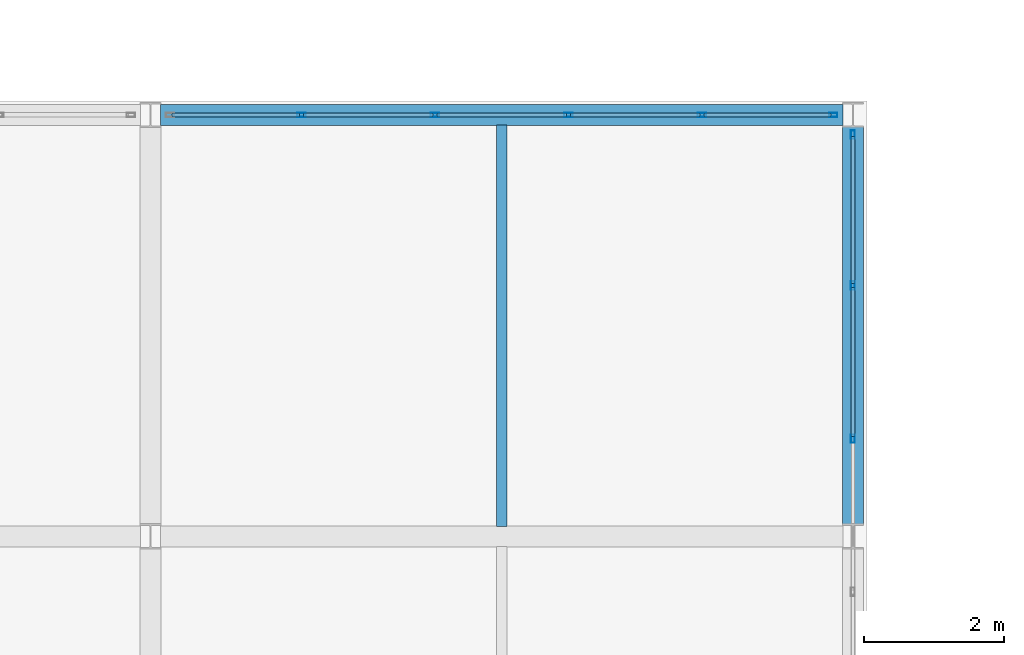
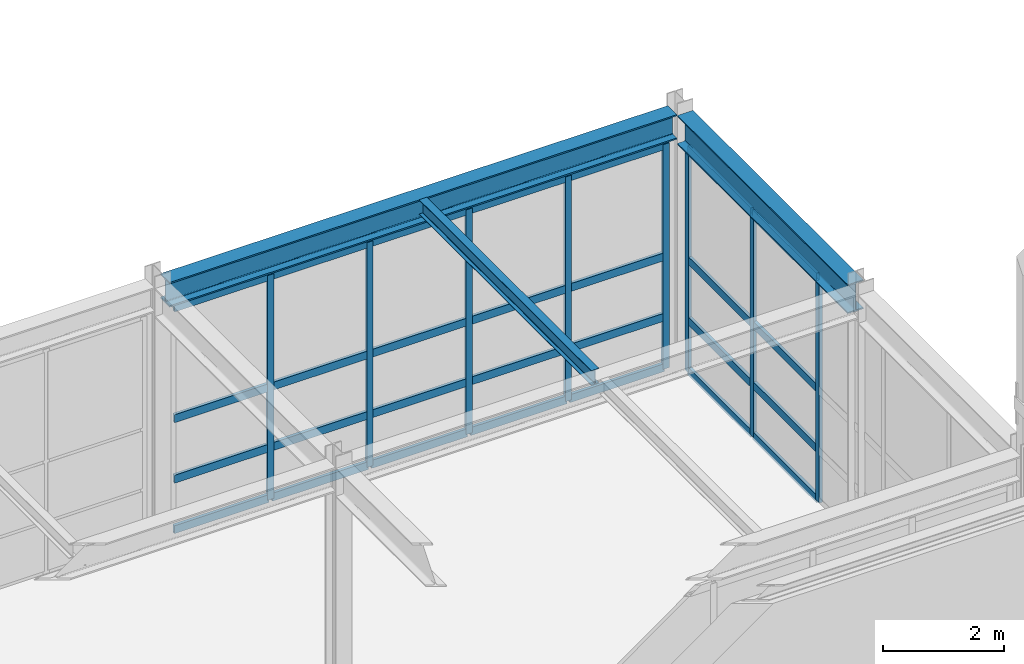
# One storey, part 176 of 239: 36 members, 3 beams, 2 elements without a shape of their own.
"""IFC4 building model written with IfcOpenShell, lengths in metres."""

from ifc_helpers import new_model, si_unit, direction, frame, origin, origin_2d, place, context, subcontext, project, spatial, hollow_rectangle, i_section, extrude, material, material_profile, profile_set, type_object, element, aggregate, save


model = new_model("IFC4")

# Units and contexts
model_context = context("Model", 3, precision=1e-05, world=origin(), true_north=direction((0.0, 1.0)))
body_context = subcontext(model_context, "Body", "Model", "MODEL_VIEW")
ifc_project = project(units=[si_unit("LENGTHUNIT", "METRE"), si_unit("AREAUNIT", "SQUARE_METRE"), si_unit("VOLUMEUNIT", "CUBIC_METRE"), si_unit("PLANEANGLEUNIT", "RADIAN"), si_unit("MASSUNIT", "GRAM", prefix="KILO")], contexts=[model_context])

# Site, building, storey
site_placement = place(None, origin())
site = spatial("IfcSite", under=ifc_project, at=site_placement, CompositionType="ELEMENT")
building_placement = place(site_placement, origin())
building = spatial("IfcBuilding", under=site, at=building_placement, Name="Kaldris Quays Convention Centre", CompositionType="ELEMENT")
storey_placement = place(building_placement, frame((0.0, 0.0, 11.39990234375)))
storey = spatial("IfcBuildingStorey", under=building, at=storey_placement, Name="L02", CompositionType="ELEMENT", Elevation=11.39990234375)

# Curtain wall, members
ifc_material_1 = material(Name="Anodized aluminium AW-6060 and triple glazing", Category="aluminium")
curtain_wall_type = type_object("IfcCurtainWallType", Name="UNITISED CURTAIN WALL CW06", PredefinedType="NOTDEFINED", material=ifc_material_1)
curtain_wall_1_placement = place(storey_placement, origin())
curtain_wall_1 = element("IfcCurtainWall", 1, at=curtain_wall_1_placement, inside=storey, type_object=curtain_wall_type, Name="L02 Unitised Curtain Wall CW06 170", PredefinedType="NOTDEFINED")
ifc_material_2 = material(Name="Anodized aluminium AW-6060", Category="aluminium")
ifc_material_profile_1 = material_profile(ifc_material_2, hollow_rectangle(XDim=0.06005859375, YDim=0.1201171875, WallThickness=0.00390625, at=origin_2d()), Name="RHS 120x60x4")
ifc_profile_set_1 = profile_set([ifc_material_profile_1], Name="Anodized aluminium AW-6060")
member_type_1 = type_object("IfcMemberType", Name="CURTAIN MULLION CWM3", PredefinedType="MULLION", material=ifc_profile_set_1)
member_1_placement = place(storey_placement, frame((186.14990234375, 116.0, 0.0), z_axis=(0.0, 0.0, 1.0), x_axis=(0.0, 1.0, 0.0)))
member_1 = element("IfcMember", 2, at=member_1_placement, type_object=member_type_1, Name="CW06 mullion 2", PredefinedType="MULLION", context=body_context, shape_type="SweptSolid", body=[
    extrude(hollow_rectangle(XDim=0.06005859375, YDim=0.1201171875, WallThickness=0.00390625, at=origin_2d()), origin(), (0.0, 0.0, 1.0), 4.548095703125),
])
member_2_placement = place(storey_placement, frame((188.050048828125, 116.0, 0.0), z_axis=(0.0, 0.0, 1.0), x_axis=(0.0, 1.0, 0.0)))
member_2 = element("IfcMember", 3, at=member_2_placement, type_object=member_type_1, Name="CW06 mullion 3", PredefinedType="MULLION", context=body_context, shape_type="SweptSolid", body=[
    extrude(hollow_rectangle(XDim=0.06005859375, YDim=0.1201171875, WallThickness=0.00390625, at=origin_2d()), origin(), (0.0, 0.0, 1.0), 4.548095703125),
])
member_3_placement = place(storey_placement, frame((189.949951171875, 116.0, 0.0), z_axis=(0.0, 0.0, 1.0), x_axis=(0.0, 1.0, 0.0)))
member_3 = element("IfcMember", 4, at=member_3_placement, type_object=member_type_1, Name="CW06 mullion 4", PredefinedType="MULLION", context=body_context, shape_type="SweptSolid", body=[
    extrude(hollow_rectangle(XDim=0.06005859375, YDim=0.1201171875, WallThickness=0.00390625, at=origin_2d()), origin(), (0.0, 0.0, 1.0), 4.548095703125),
])
member_4_placement = place(storey_placement, frame((191.85009765625, 116.0, 0.0), z_axis=(0.0, 0.0, 1.0), x_axis=(0.0, 1.0, 0.0)))
member_4 = element("IfcMember", 5, at=member_4_placement, type_object=member_type_1, Name="CW06 mullion 5", PredefinedType="MULLION", context=body_context, shape_type="SweptSolid", body=[
    extrude(hollow_rectangle(XDim=0.06005859375, YDim=0.1201171875, WallThickness=0.00390625, at=origin_2d()), origin(), (0.0, 0.0, 1.0), 4.548095703125),
])
member_5_placement = place(storey_placement, frame((193.719970703125, 116.0, 0.0), z_axis=(0.0, 0.0, 1.0), x_axis=(0.0, 1.0, 0.0)))
member_5 = element("IfcMember", 6, at=member_5_placement, type_object=member_type_1, Name="CW06 mullion 6", PredefinedType="MULLION", context=body_context, shape_type="SweptSolid", body=[
    extrude(hollow_rectangle(XDim=0.06005859375, YDim=0.1201171875, WallThickness=0.00390625, at=origin_2d()), origin(), (0.0, 0.0, 1.0), 4.548095703125),
])

curtain_wall_2_placement = place(storey_placement, origin())
curtain_wall_2 = element("IfcCurtainWall", 7, at=curtain_wall_2_placement, inside=storey, type_object=curtain_wall_type, Name="L02 Unitised Curtain Wall CW06 172", PredefinedType="NOTDEFINED")
member_6_placement = place(storey_placement, frame((194.0, 111.389892578125, 0.0), z_axis=(0.0, 0.0, 1.0), x_axis=(-1.0, 0.0, 0.0)))
member_6 = element("IfcMember", 8, at=member_6_placement, type_object=member_type_1, Name="CW06 mullion 4", PredefinedType="MULLION", context=body_context, shape_type="SweptSolid", body=[
    extrude(hollow_rectangle(XDim=0.06005859375, YDim=0.1201171875, WallThickness=0.00390625, at=origin_2d()), origin(), (0.0, 0.0, 1.0), 4.548095703125),
])
member_7_placement = place(storey_placement, frame((194.0, 113.570068359375, 0.0), z_axis=(0.0, 0.0, 1.0), x_axis=(-1.0, 0.0, 0.0)))
member_7 = element("IfcMember", 9, at=member_7_placement, type_object=member_type_1, Name="CW06 mullion 5", PredefinedType="MULLION", context=body_context, shape_type="SweptSolid", body=[
    extrude(hollow_rectangle(XDim=0.06005859375, YDim=0.1201171875, WallThickness=0.00390625, at=origin_2d()), origin(), (0.0, 0.0, 1.0), 4.548095703125),
])
member_8_placement = place(storey_placement, frame((194.0, 115.719970703125, 0.0), z_axis=(0.0, 0.0, 1.0), x_axis=(-1.0, 0.0, 0.0)))
member_8 = element("IfcMember", 10, at=member_8_placement, type_object=member_type_1, Name="CW06 mullion 6", PredefinedType="MULLION", context=body_context, shape_type="SweptSolid", body=[
    extrude(hollow_rectangle(XDim=0.06005859375, YDim=0.1201171875, WallThickness=0.00390625, at=origin_2d()), origin(), (0.0, 0.0, 1.0), 4.548095703125),
])

# Member
ifc_material_profile_2 = material_profile(ifc_material_2, hollow_rectangle(XDim=0.06005859375, YDim=0.159912109375, WallThickness=0.00390625, at=origin_2d()), Name="RHS 160x60x4")
ifc_profile_set_2 = profile_set([ifc_material_profile_2], Name="Anodized aluminium AW-6060")
member_type_2 = type_object("IfcMemberType", Name="CURTAIN TRANSOM CWT2", PredefinedType="USERDEFINED", material=ifc_profile_set_2)
member_9_placement = place(storey_placement, frame((184.31005859375, 116.0, 0.030029296875), z_axis=(1.0, 0.0, 0.0), x_axis=(0.0, 1.0, 0.0)))
member_9 = element("IfcMember", 11, at=member_9_placement, type_object=member_type_2, Name="CW06 transom 1.1", ObjectType="TRANSOM", PredefinedType="USERDEFINED", context=body_context, shape_type="SweptSolid", body=[
    extrude(hollow_rectangle(XDim=0.06005859375, YDim=0.159912109375, WallThickness=0.00390625, at=origin_2d()), origin(), (0.0, 0.0, 1.0), 1.81005859375),
])

member_10_placement = place(storey_placement, frame((184.31005859375, 116.0, 1.050048828125), z_axis=(1.0, 0.0, 0.0), x_axis=(0.0, 1.0, 0.0)))
member_10 = element("IfcMember", 12, at=member_10_placement, type_object=member_type_2, Name="CW06 transom 1.2", ObjectType="TRANSOM", PredefinedType="USERDEFINED", context=body_context, shape_type="SweptSolid", body=[
    extrude(hollow_rectangle(XDim=0.06005859375, YDim=0.159912109375, WallThickness=0.00390625, at=origin_2d()), origin(), (0.0, 0.0, 1.0), 1.81005859375),
])

member_11_placement = place(storey_placement, frame((184.31005859375, 116.0, 2.274169921875), z_axis=(1.0, 0.0, 0.0), x_axis=(0.0, 1.0, 0.0)))
member_11 = element("IfcMember", 13, at=member_11_placement, type_object=member_type_2, Name="CW06 transom 1.3", ObjectType="TRANSOM", PredefinedType="USERDEFINED", context=body_context, shape_type="SweptSolid", body=[
    extrude(hollow_rectangle(XDim=0.06005859375, YDim=0.159912109375, WallThickness=0.00390625, at=origin_2d()), origin(), (0.0, 0.0, 1.0), 1.81005859375),
])

member_12_placement = place(storey_placement, frame((184.31005859375, 116.0, 4.51806640625), z_axis=(1.0, 0.0, 0.0), x_axis=(0.0, 1.0, 0.0)))
member_12 = element("IfcMember", 14, at=member_12_placement, type_object=member_type_2, Name="CW06 transom 1.4", ObjectType="TRANSOM", PredefinedType="USERDEFINED", context=body_context, shape_type="SweptSolid", body=[
    extrude(hollow_rectangle(XDim=0.06005859375, YDim=0.159912109375, WallThickness=0.00390625, at=origin_2d()), origin(), (0.0, 0.0, 1.0), 1.81005859375),
])

member_13_placement = place(storey_placement, frame((186.179931640625, 116.0, 0.030029296875), z_axis=(1.0, 0.0, 0.0), x_axis=(0.0, 1.0, 0.0)))
member_13 = element("IfcMember", 15, at=member_13_placement, type_object=member_type_2, Name="CW06 transom 2.1", ObjectType="TRANSOM", PredefinedType="USERDEFINED", context=body_context, shape_type="SweptSolid", body=[
    extrude(hollow_rectangle(XDim=0.06005859375, YDim=0.159912109375, WallThickness=0.00390625, at=origin_2d()), origin(), (0.0, 0.0, 1.0), 1.840087890625),
])

member_14_placement = place(storey_placement, frame((186.179931640625, 116.0, 1.050048828125), z_axis=(1.0, 0.0, 0.0), x_axis=(0.0, 1.0, 0.0)))
member_14 = element("IfcMember", 16, at=member_14_placement, type_object=member_type_2, Name="CW06 transom 2.2", ObjectType="TRANSOM", PredefinedType="USERDEFINED", context=body_context, shape_type="SweptSolid", body=[
    extrude(hollow_rectangle(XDim=0.06005859375, YDim=0.159912109375, WallThickness=0.00390625, at=origin_2d()), origin(), (0.0, 0.0, 1.0), 1.840087890625),
])

member_15_placement = place(storey_placement, frame((186.179931640625, 116.0, 2.274169921875), z_axis=(1.0, 0.0, 0.0), x_axis=(0.0, 1.0, 0.0)))
member_15 = element("IfcMember", 17, at=member_15_placement, type_object=member_type_2, Name="CW06 transom 2.3", ObjectType="TRANSOM", PredefinedType="USERDEFINED", context=body_context, shape_type="SweptSolid", body=[
    extrude(hollow_rectangle(XDim=0.06005859375, YDim=0.159912109375, WallThickness=0.00390625, at=origin_2d()), origin(), (0.0, 0.0, 1.0), 1.840087890625),
])

member_16_placement = place(storey_placement, frame((186.179931640625, 116.0, 4.51806640625), z_axis=(1.0, 0.0, 0.0), x_axis=(0.0, 1.0, 0.0)))
member_16 = element("IfcMember", 18, at=member_16_placement, type_object=member_type_2, Name="CW06 transom 2.4", ObjectType="TRANSOM", PredefinedType="USERDEFINED", context=body_context, shape_type="SweptSolid", body=[
    extrude(hollow_rectangle(XDim=0.06005859375, YDim=0.159912109375, WallThickness=0.00390625, at=origin_2d()), origin(), (0.0, 0.0, 1.0), 1.840087890625),
])

member_17_placement = place(storey_placement, frame((188.080078125, 116.0, 0.030029296875), z_axis=(1.0, 0.0, 0.0), x_axis=(0.0, 1.0, 0.0)))
member_17 = element("IfcMember", 19, at=member_17_placement, type_object=member_type_2, Name="CW06 transom 3.1", ObjectType="TRANSOM", PredefinedType="USERDEFINED", context=body_context, shape_type="SweptSolid", body=[
    extrude(hollow_rectangle(XDim=0.06005859375, YDim=0.159912109375, WallThickness=0.00390625, at=origin_2d()), origin(), (0.0, 0.0, 1.0), 1.83984375),
])

member_18_placement = place(storey_placement, frame((188.080078125, 116.0, 1.050048828125), z_axis=(1.0, 0.0, 0.0), x_axis=(0.0, 1.0, 0.0)))
member_18 = element("IfcMember", 20, at=member_18_placement, type_object=member_type_2, Name="CW06 transom 3.2", ObjectType="TRANSOM", PredefinedType="USERDEFINED", context=body_context, shape_type="SweptSolid", body=[
    extrude(hollow_rectangle(XDim=0.06005859375, YDim=0.159912109375, WallThickness=0.00390625, at=origin_2d()), origin(), (0.0, 0.0, 1.0), 1.83984375),
])

member_19_placement = place(storey_placement, frame((188.080078125, 116.0, 2.274169921875), z_axis=(1.0, 0.0, 0.0), x_axis=(0.0, 1.0, 0.0)))
member_19 = element("IfcMember", 21, at=member_19_placement, type_object=member_type_2, Name="CW06 transom 3.3", ObjectType="TRANSOM", PredefinedType="USERDEFINED", context=body_context, shape_type="SweptSolid", body=[
    extrude(hollow_rectangle(XDim=0.06005859375, YDim=0.159912109375, WallThickness=0.00390625, at=origin_2d()), origin(), (0.0, 0.0, 1.0), 1.83984375),
])

member_20_placement = place(storey_placement, frame((188.080078125, 116.0, 4.51806640625), z_axis=(1.0, 0.0, 0.0), x_axis=(0.0, 1.0, 0.0)))
member_20 = element("IfcMember", 22, at=member_20_placement, type_object=member_type_2, Name="CW06 transom 3.4", ObjectType="TRANSOM", PredefinedType="USERDEFINED", context=body_context, shape_type="SweptSolid", body=[
    extrude(hollow_rectangle(XDim=0.06005859375, YDim=0.159912109375, WallThickness=0.00390625, at=origin_2d()), origin(), (0.0, 0.0, 1.0), 1.83984375),
])

member_21_placement = place(storey_placement, frame((189.97998046875, 116.0, 0.030029296875), z_axis=(1.0, 0.0, 0.0), x_axis=(0.0, 1.0, 0.0)))
member_21 = element("IfcMember", 23, at=member_21_placement, type_object=member_type_2, Name="CW06 transom 4.1", ObjectType="TRANSOM", PredefinedType="USERDEFINED", context=body_context, shape_type="SweptSolid", body=[
    extrude(hollow_rectangle(XDim=0.06005859375, YDim=0.159912109375, WallThickness=0.00390625, at=origin_2d()), origin(), (0.0, 0.0, 1.0), 1.840087890625),
])

member_22_placement = place(storey_placement, frame((189.97998046875, 116.0, 1.050048828125), z_axis=(1.0, 0.0, 0.0), x_axis=(0.0, 1.0, 0.0)))
member_22 = element("IfcMember", 24, at=member_22_placement, type_object=member_type_2, Name="CW06 transom 4.2", ObjectType="TRANSOM", PredefinedType="USERDEFINED", context=body_context, shape_type="SweptSolid", body=[
    extrude(hollow_rectangle(XDim=0.06005859375, YDim=0.159912109375, WallThickness=0.00390625, at=origin_2d()), origin(), (0.0, 0.0, 1.0), 1.840087890625),
])

member_23_placement = place(storey_placement, frame((189.97998046875, 116.0, 2.274169921875), z_axis=(1.0, 0.0, 0.0), x_axis=(0.0, 1.0, 0.0)))
member_23 = element("IfcMember", 25, at=member_23_placement, type_object=member_type_2, Name="CW06 transom 4.3", ObjectType="TRANSOM", PredefinedType="USERDEFINED", context=body_context, shape_type="SweptSolid", body=[
    extrude(hollow_rectangle(XDim=0.06005859375, YDim=0.159912109375, WallThickness=0.00390625, at=origin_2d()), origin(), (0.0, 0.0, 1.0), 1.840087890625),
])

member_24_placement = place(storey_placement, frame((189.97998046875, 116.0, 4.51806640625), z_axis=(1.0, 0.0, 0.0), x_axis=(0.0, 1.0, 0.0)))
member_24 = element("IfcMember", 26, at=member_24_placement, type_object=member_type_2, Name="CW06 transom 4.4", ObjectType="TRANSOM", PredefinedType="USERDEFINED", context=body_context, shape_type="SweptSolid", body=[
    extrude(hollow_rectangle(XDim=0.06005859375, YDim=0.159912109375, WallThickness=0.00390625, at=origin_2d()), origin(), (0.0, 0.0, 1.0), 1.840087890625),
])

member_25_placement = place(storey_placement, frame((191.8798828125, 116.0, 0.030029296875), z_axis=(1.0, 0.0, 0.0), x_axis=(0.0, 1.0, 0.0)))
member_25 = element("IfcMember", 27, at=member_25_placement, type_object=member_type_2, Name="CW06 transom 5.1", ObjectType="TRANSOM", PredefinedType="USERDEFINED", context=body_context, shape_type="SweptSolid", body=[
    extrude(hollow_rectangle(XDim=0.06005859375, YDim=0.159912109375, WallThickness=0.00390625, at=origin_2d()), origin(), (0.0, 0.0, 1.0), 1.81005859375),
])

member_26_placement = place(storey_placement, frame((191.8798828125, 116.0, 1.050048828125), z_axis=(1.0, 0.0, 0.0), x_axis=(0.0, 1.0, 0.0)))
member_26 = element("IfcMember", 28, at=member_26_placement, type_object=member_type_2, Name="CW06 transom 5.2", ObjectType="TRANSOM", PredefinedType="USERDEFINED", context=body_context, shape_type="SweptSolid", body=[
    extrude(hollow_rectangle(XDim=0.06005859375, YDim=0.159912109375, WallThickness=0.00390625, at=origin_2d()), origin(), (0.0, 0.0, 1.0), 1.81005859375),
])

member_27_placement = place(storey_placement, frame((191.8798828125, 116.0, 2.274169921875), z_axis=(1.0, 0.0, 0.0), x_axis=(0.0, 1.0, 0.0)))
member_27 = element("IfcMember", 29, at=member_27_placement, type_object=member_type_2, Name="CW06 transom 5.3", ObjectType="TRANSOM", PredefinedType="USERDEFINED", context=body_context, shape_type="SweptSolid", body=[
    extrude(hollow_rectangle(XDim=0.06005859375, YDim=0.159912109375, WallThickness=0.00390625, at=origin_2d()), origin(), (0.0, 0.0, 1.0), 1.81005859375),
])

member_28_placement = place(storey_placement, frame((191.8798828125, 116.0, 4.51806640625), z_axis=(1.0, 0.0, 0.0), x_axis=(0.0, 1.0, 0.0)))
member_28 = element("IfcMember", 30, at=member_28_placement, type_object=member_type_2, Name="CW06 transom 5.4", ObjectType="TRANSOM", PredefinedType="USERDEFINED", context=body_context, shape_type="SweptSolid", body=[
    extrude(hollow_rectangle(XDim=0.06005859375, YDim=0.159912109375, WallThickness=0.00390625, at=origin_2d()), origin(), (0.0, 0.0, 1.0), 1.81005859375),
])

aggregate(curtain_wall_1, [member_1, member_2, member_3, member_4, member_5, member_9, member_10, member_11, member_12, member_13, member_14, member_15, member_16, member_17, member_18, member_19, member_20, member_21, member_22, member_23, member_24, member_25, member_26, member_27, member_28])

member_29_placement = place(storey_placement, frame((194.0, 111.419921875, 0.030029296875), z_axis=(0.0, 1.0, 0.0), x_axis=(-1.0, 0.0, 0.0)))
member_29 = element("IfcMember", 31, at=member_29_placement, type_object=member_type_2, Name="CW06 transom 4.1", ObjectType="TRANSOM", PredefinedType="USERDEFINED", context=body_context, shape_type="SweptSolid", body=[
    extrude(hollow_rectangle(XDim=0.06005859375, YDim=0.159912109375, WallThickness=0.00390625, at=origin_2d()), origin(), (0.0, 0.0, 1.0), 2.1201171875),
])

member_30_placement = place(storey_placement, frame((194.0, 111.419921875, 1.050048828125), z_axis=(0.0, 1.0, 0.0), x_axis=(-1.0, 0.0, 0.0)))
member_30 = element("IfcMember", 32, at=member_30_placement, type_object=member_type_2, Name="CW06 transom 4.2", ObjectType="TRANSOM", PredefinedType="USERDEFINED", context=body_context, shape_type="SweptSolid", body=[
    extrude(hollow_rectangle(XDim=0.06005859375, YDim=0.159912109375, WallThickness=0.00390625, at=origin_2d()), origin(), (0.0, 0.0, 1.0), 2.1201171875),
])

member_31_placement = place(storey_placement, frame((194.0, 111.419921875, 2.274169921875), z_axis=(0.0, 1.0, 0.0), x_axis=(-1.0, 0.0, 0.0)))
member_31 = element("IfcMember", 33, at=member_31_placement, type_object=member_type_2, Name="CW06 transom 4.3", ObjectType="TRANSOM", PredefinedType="USERDEFINED", context=body_context, shape_type="SweptSolid", body=[
    extrude(hollow_rectangle(XDim=0.06005859375, YDim=0.159912109375, WallThickness=0.00390625, at=origin_2d()), origin(), (0.0, 0.0, 1.0), 2.1201171875),
])

member_32_placement = place(storey_placement, frame((194.0, 111.419921875, 4.51806640625), z_axis=(0.0, 1.0, 0.0), x_axis=(-1.0, 0.0, 0.0)))
member_32 = element("IfcMember", 34, at=member_32_placement, type_object=member_type_2, Name="CW06 transom 4.4", ObjectType="TRANSOM", PredefinedType="USERDEFINED", context=body_context, shape_type="SweptSolid", body=[
    extrude(hollow_rectangle(XDim=0.06005859375, YDim=0.159912109375, WallThickness=0.00390625, at=origin_2d()), origin(), (0.0, 0.0, 1.0), 2.1201171875),
])

member_33_placement = place(storey_placement, frame((194.0, 113.60009765625, 0.030029296875), z_axis=(0.0, 1.0, 0.0), x_axis=(-1.0, 0.0, 0.0)))
member_33 = element("IfcMember", 35, at=member_33_placement, type_object=member_type_2, Name="CW06 transom 5.1", ObjectType="TRANSOM", PredefinedType="USERDEFINED", context=body_context, shape_type="SweptSolid", body=[
    extrude(hollow_rectangle(XDim=0.06005859375, YDim=0.159912109375, WallThickness=0.00390625, at=origin_2d()), origin(), (0.0, 0.0, 1.0), 2.08984375),
])

member_34_placement = place(storey_placement, frame((194.0, 113.60009765625, 1.050048828125), z_axis=(0.0, 1.0, 0.0), x_axis=(-1.0, 0.0, 0.0)))
member_34 = element("IfcMember", 36, at=member_34_placement, type_object=member_type_2, Name="CW06 transom 5.2", ObjectType="TRANSOM", PredefinedType="USERDEFINED", context=body_context, shape_type="SweptSolid", body=[
    extrude(hollow_rectangle(XDim=0.06005859375, YDim=0.159912109375, WallThickness=0.00390625, at=origin_2d()), origin(), (0.0, 0.0, 1.0), 2.08984375),
])

member_35_placement = place(storey_placement, frame((194.0, 113.60009765625, 2.274169921875), z_axis=(0.0, 1.0, 0.0), x_axis=(-1.0, 0.0, 0.0)))
member_35 = element("IfcMember", 37, at=member_35_placement, type_object=member_type_2, Name="CW06 transom 5.3", ObjectType="TRANSOM", PredefinedType="USERDEFINED", context=body_context, shape_type="SweptSolid", body=[
    extrude(hollow_rectangle(XDim=0.06005859375, YDim=0.159912109375, WallThickness=0.00390625, at=origin_2d()), origin(), (0.0, 0.0, 1.0), 2.08984375),
])

member_36_placement = place(storey_placement, frame((194.0, 113.60009765625, 4.51806640625), z_axis=(0.0, 1.0, 0.0), x_axis=(-1.0, 0.0, 0.0)))
member_36 = element("IfcMember", 38, at=member_36_placement, type_object=member_type_2, Name="CW06 transom 5.4", ObjectType="TRANSOM", PredefinedType="USERDEFINED", context=body_context, shape_type="SweptSolid", body=[
    extrude(hollow_rectangle(XDim=0.06005859375, YDim=0.159912109375, WallThickness=0.00390625, at=origin_2d()), origin(), (0.0, 0.0, 1.0), 2.08984375),
])

aggregate(curtain_wall_2, [member_6, member_7, member_8, member_29, member_30, member_31, member_32, member_33, member_34, member_35, member_36])

# Beams
ifc_material_3 = material(Name="Steel S355J2", Category="steel")
ifc_material_profile_3 = material_profile(ifc_material_3, i_section(OverallWidth=0.300048828125, OverallDepth=0.5, WebThickness=0.014404296875, FlangeThickness=0.028076171875, FilletRadius=0.027099609375, at=origin_2d()), Name="HEB 500")
ifc_profile_set_3 = profile_set([ifc_material_profile_3], Name="Steel S355J2")
beam_type_1 = type_object("IfcBeamType", Name="STRUCTURAL BEAM BM06", PredefinedType="BEAM", material=ifc_profile_set_3)
beam_1_placement = place(storey_placement, frame((184.14404296875, 116.0, 4.9130859375), z_axis=(1.0, 0.0, 0.0), x_axis=(0.0, 1.0, 0.0)))
element("IfcBeam", 39, at=beam_1_placement, inside=storey, type_object=beam_type_1, Name="L02 Girder BM06 55", PredefinedType="BEAM", context=body_context, shape_type="SweptSolid", body=[
    extrude(i_section(OverallWidth=0.300048828125, OverallDepth=0.5, WebThickness=0.014404296875, FlangeThickness=0.028076171875, FilletRadius=0.027099609375, at=origin_2d()), origin(), (0.0, 0.0, 1.0), 9.7119140625),
])
ifc_material_profile_4 = material_profile(ifc_material_3, i_section(OverallWidth=0.300048828125, OverallDepth=0.590087890625, WebThickness=0.012939453125, FlangeThickness=0.02490234375, FilletRadius=0.027099609375, at=origin_2d()), Name="HEA 600")
ifc_profile_set_4 = profile_set([ifc_material_profile_4], Name="Steel S355J2")
beam_type_2 = type_object("IfcBeamType", Name="STRUCTURAL BEAM BM08", PredefinedType="BEAM", material=ifc_profile_set_4)
beam_2_placement = place(storey_placement, frame((194.0, 110.174072265625, 4.8681640625), z_axis=(0.0, 1.0, 0.0), x_axis=(-1.0, 0.0, 0.0)))
element("IfcBeam", 40, at=beam_2_placement, inside=storey, type_object=beam_type_2, Name="L02 Girder BM08 109", PredefinedType="BEAM", context=body_context, shape_type="SweptSolid", body=[
    extrude(i_section(OverallWidth=0.300048828125, OverallDepth=0.590087890625, WebThickness=0.012939453125, FlangeThickness=0.02490234375, FilletRadius=0.027099609375, at=origin_2d()), origin(), (0.0, 0.0, 1.0), 5.65185546875),
])
ifc_material_profile_5 = material_profile(ifc_material_3, i_section(OverallWidth=0.14990234375, OverallDepth=0.300048828125, WebThickness=0.007080078125, FlangeThickness=0.0107421875, FilletRadius=0.014892578125, at=origin_2d()), Name="IPE 300")
ifc_profile_set_5 = profile_set([ifc_material_profile_5], Name="Steel S355J2")
beam_type_3 = type_object("IfcBeamType", Name="STRUCTURAL BEAM JT04", PredefinedType="JOIST", material=ifc_profile_set_5)
beam_3_placement = place(storey_placement, frame((189.0, 110.14404296875, 5.01318359375), z_axis=(0.0, 1.0, 0.0), x_axis=(-1.0, 0.0, 0.0)))
element("IfcBeam", 41, at=beam_3_placement, inside=storey, type_object=beam_type_3, Name="L02 Secondary Joist JT04 35", PredefinedType="JOIST", context=body_context, shape_type="SweptSolid", body=[
    extrude(i_section(OverallWidth=0.14990234375, OverallDepth=0.300048828125, WebThickness=0.007080078125, FlangeThickness=0.0107421875, FilletRadius=0.014892578125, at=origin_2d()), origin(), (0.0, 0.0, 1.0), 5.7119140625),
])

save(model, "model.ifc")
